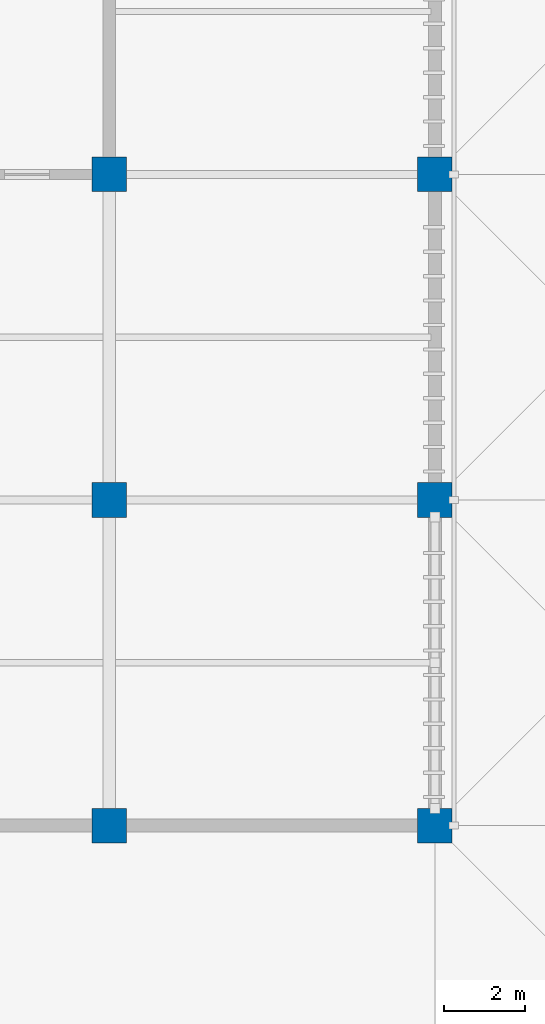
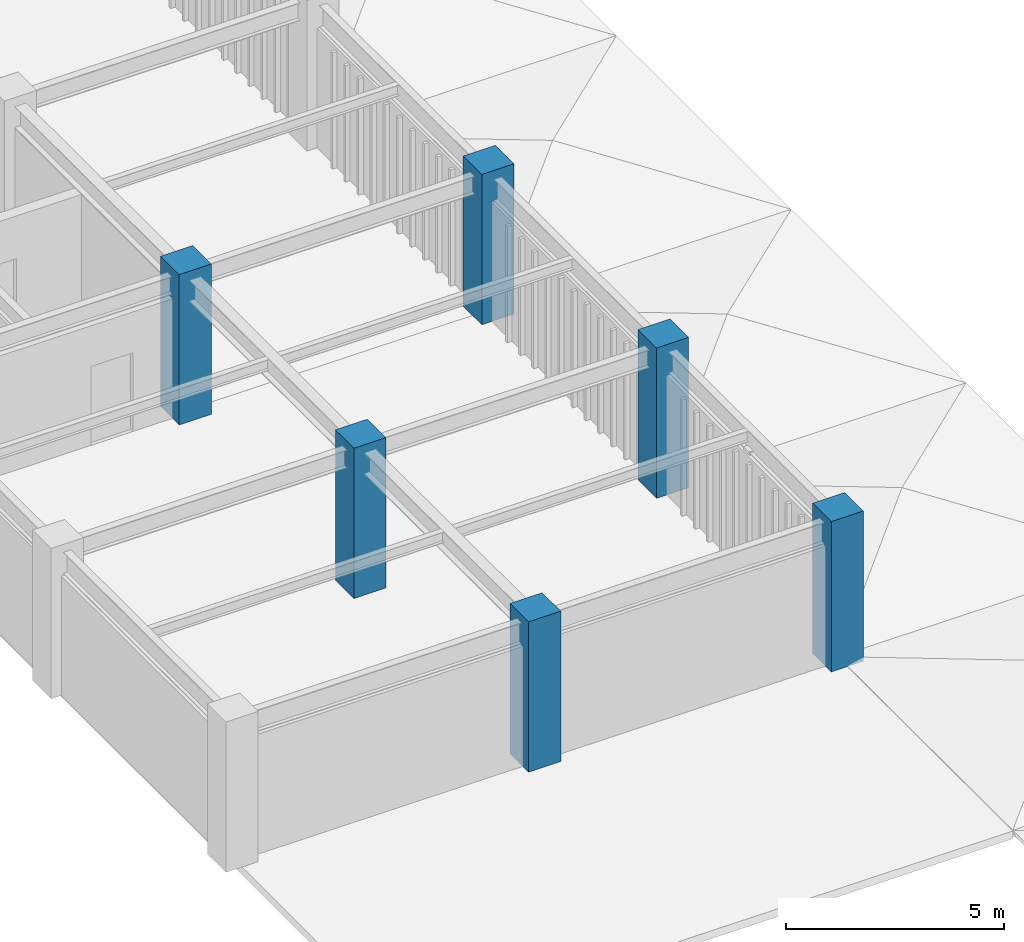
# One storey, part 8 of 78: 6 columns.
"""IFC4 building model written with IfcOpenShell, lengths in metres."""

from ifc_helpers import new_model, si_unit, direction, frame, origin, origin_2d, place, context, subcontext, project, spatial, rectangle, extrude, material, material_profile, profile_set, type_object, element, save


model = new_model("IFC4")

# Units and contexts
model_context = context("Model", 3, precision=1e-05, world=origin(), true_north=direction((0.0, 1.0)))
body_context = subcontext(model_context, "Body", "Model", "MODEL_VIEW")
ifc_project = project(units=[si_unit("LENGTHUNIT", "METRE"), si_unit("AREAUNIT", "SQUARE_METRE"), si_unit("VOLUMEUNIT", "CUBIC_METRE"), si_unit("PLANEANGLEUNIT", "RADIAN"), si_unit("MASSUNIT", "GRAM", prefix="KILO")], contexts=[model_context])

# Site, building, storey
site_placement = place(None, origin())
site = spatial("IfcSite", under=ifc_project, at=site_placement, CompositionType="ELEMENT")
building_placement = place(site_placement, origin())
building = spatial("IfcBuilding", under=site, at=building_placement, Name="Haebicheon Civic Stadium", CompositionType="ELEMENT")
storey_placement = place(building_placement, frame((0.0, 0.0, 18.60009765625)))
storey = spatial("IfcBuildingStorey", under=building, at=storey_placement, Name="L05", CompositionType="ELEMENT", Elevation=18.60009765625)

# Columns
ifc_material = material(Name="Concrete C40/50", Category="concrete")
ifc_material_profile = material_profile(ifc_material, rectangle(XDim=0.85009765625, YDim=0.85009765625, at=origin_2d()), Name="RC-COL-850x850")
ifc_profile_set = profile_set([ifc_material_profile], Name="Concrete C40/50")
column_type = type_object("IfcColumnType", Name="COL-RC-850", PredefinedType="COLUMN", material=ifc_profile_set)
for number, where, z_axis, x_axis, name in (
    (1, (152.0, 48.0, 0.0), (0.0, 0.0, 1.0), (1.0, 0.0, 0.0), "L05 column 20/G"),
    (2, (152.0, 56.0, 0.0), (0.0, 0.0, 1.0), (1.0, 0.0, 0.0), "L05 column 20/H"),
    (3, (152.0, 64.0, 0.0), (0.0, 0.0, 1.0), (1.0, 0.0, 0.0), "L05 column 20/J"),
    (4, (160.0, 48.0, 0.0), (0.0, 0.0, 1.0), (1.0, 0.0, 0.0), "L05 column 21/G"),
    (5, (160.0, 56.0, 0.0), (0.0, 0.0, 1.0), (1.0, 0.0, 0.0), "L05 column 21/H"),
    (6, (160.0, 64.0, 0.0), (0.0, 0.0, 1.0), (1.0, 0.0, 0.0), "L05 column 21/J"),
):
    element("IfcColumn", number, at=place(storey_placement, frame(where, z_axis=z_axis, x_axis=x_axis)), inside=storey, type_object=column_type, material=ifc_profile_set, Name=name, PredefinedType="COLUMN", context=body_context, shape_type="SweptSolid", body=[
        extrude(rectangle(XDim=0.85009765625, YDim=0.85009765625, at=origin_2d()), origin(), (0.0, 0.0, 1.0), 4.199951171875),
    ])

save(model, "model.ifc")
